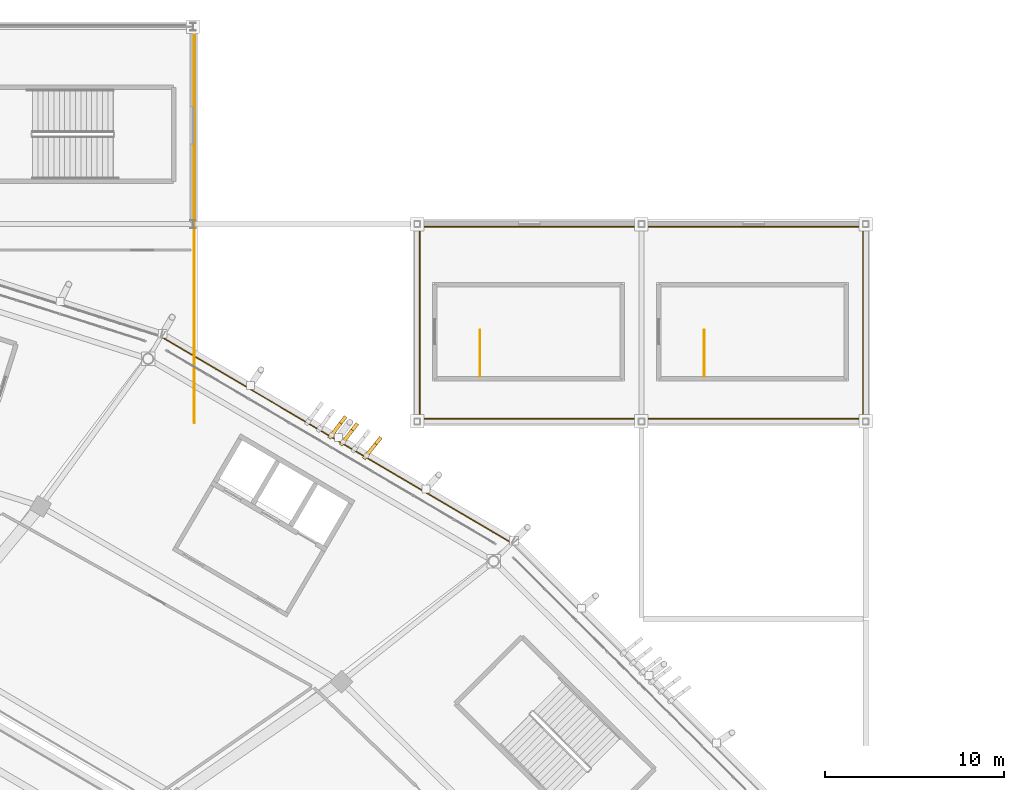
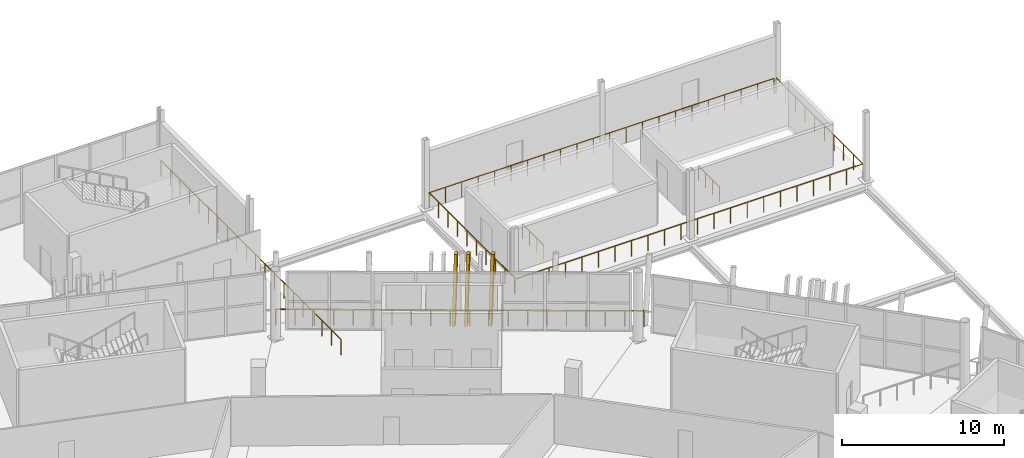
# One storey, part 178 of 178: 6 railings, 3 shading devices.
"""IFC4 building model written with IfcOpenShell, lengths in metres."""

import ifcopenshell
import ifcopenshell.guid

model = None  # the IFC model being written
_history = None  # IfcOwnerHistory: only IFC2X3 demands one
_inside = {}  # id of a spatial element -> (the spatial element, [elements in it])
_under = {}  # id of a project, library or spatial element -> (it, [spatial elements below it])
_declared = {}  # id of a project -> (the project, [libraries it declares])
_typed = {}  # id of a type object -> (the type object, [elements of that type])
_made_of = {}  # id of a material, layer set ... -> (it, [elements and type objects made of it])


def new_model(schema):
    """Start an empty IFC model of exactly this schema.

    Asked for "IFC4X3", IfcOpenShell would pick the latest addendum, in which some entities
    have other attributes; the version numbers below select the first issue.
    IFC2X3 requires an IfcOwnerHistory on every rooted entity: one is made here for all.
    """
    global model, _history
    if schema == "IFC4X3":
        model = ifcopenshell.file(schema_version=(4, 3, 0, 0))
    else:
        model = ifcopenshell.file(schema=schema)
    _inside.clear()
    _under.clear()
    _declared.clear()
    _typed.clear()
    _made_of.clear()
    _history = None
    if model.schema == "IFC2X3":
        org = make("IfcOrganization", Name="unknown")
        user = make(
            "IfcPersonAndOrganization",
            ThePerson=make("IfcPerson", FamilyName="unknown"),
            TheOrganization=org,
        )
        app = make(
            "IfcApplication",
            ApplicationDeveloper=org,
            Version="unknown",
            ApplicationFullName="unknown",
            ApplicationIdentifier="unknown",
        )
        _history = make(
            "IfcOwnerHistory",
            OwningUser=user,
            OwningApplication=app,
            ChangeAction="ADDED",
            CreationDate=0,
        )
    return model


def make(cls, **values):
    """One entity of the class cls with the attributes given. An attribute that is None is left unset."""
    return model.create_entity(
        cls, **{name: value for name, value in values.items() if value is not None}
    )


def rooted(cls, **values):
    """An entity with a GlobalId (a new one), such as an element, a storey or a relation."""
    return make(cls, GlobalId=ifcopenshell.guid.new(), OwnerHistory=_history, **values)


def si_unit(unit_type, name, prefix=None):
    """IfcSIUnit, for example si_unit("LENGTHUNIT", "METRE", prefix="MILLI")."""
    return make("IfcSIUnit", UnitType=unit_type, Prefix=prefix, Name=name)


def assignment(units):
    """IfcUnitAssignment: the units of a project."""
    return None if units is None else make("IfcUnitAssignment", Units=units)


def point(xyz):
    """IfcCartesianPoint."""
    return None if xyz is None else make("IfcCartesianPoint", Coordinates=xyz)


def direction(xyz):
    """IfcDirection."""
    return None if xyz is None else make("IfcDirection", DirectionRatios=xyz)


def frame(location, z_axis=None, x_axis=None):
    """IfcAxis2Placement3D, a coordinate frame: its origin and axes. An axis left out is left unset."""
    return make(
        "IfcAxis2Placement3D",
        Location=point(location),
        Axis=direction(z_axis),
        RefDirection=direction(x_axis),
    )


def frame_2d(location, x_axis=None):
    """IfcAxis2Placement2D, a coordinate frame in the plane: its origin and x axis."""
    return make(
        "IfcAxis2Placement2D", Location=point(location), RefDirection=direction(x_axis)
    )


def origin():
    """The frame at (0, 0, 0) with its axes left unset."""
    return frame((0.0, 0.0, 0.0))


def origin_2d():
    """The frame at (0, 0) in the plane with its x axis left unset."""
    return frame_2d((0.0, 0.0))


def place(relative_to, where):
    """IfcLocalPlacement: puts the frame where relative to a parent placement (None: the world)."""
    return make(
        "IfcLocalPlacement", PlacementRelTo=relative_to, RelativePlacement=where
    )


def context(
    kind, dimensions, precision=None, world=None, true_north=None, identifier=None
):
    """IfcGeometricRepresentationContext, for example the 3D "Model" context."""
    return make(
        "IfcGeometricRepresentationContext",
        ContextIdentifier=identifier,
        ContextType=kind,
        CoordinateSpaceDimension=dimensions,
        Precision=precision,
        WorldCoordinateSystem=world,
        TrueNorth=true_north,
    )


def subcontext(parent, identifier, kind, view, scale=None):
    """IfcGeometricRepresentationSubContext, for example "Body" below "Model"."""
    return make(
        "IfcGeometricRepresentationSubContext",
        ContextIdentifier=identifier,
        ContextType=kind,
        ParentContext=parent,
        TargetScale=scale,
        TargetView=view,
    )


def project(units=None, contexts=None):
    """IfcProject with its units and contexts."""
    return rooted(
        "IfcProject",
        Name="project",
        RepresentationContexts=contexts,
        UnitsInContext=assignment(units),
    )


def spatial(cls, under=None, at=None, **own):
    """A site, building, storey or space (cls), placed at a placement, below another one or the project."""
    s = rooted(cls, ObjectPlacement=at, **own)
    if under is not None:
        _under.setdefault(under.id(), (under, []))[1].append(s)
    return s


def profile(cls, at=None, kind="AREA", **sizes):
    """A parametric profile (cls). Its sizes go by their IFC names, for example OverallWidth=200.0."""
    return make(cls, ProfileType=kind, Position=at, **sizes)


def rectangle(**sizes):
    """IfcRectangleProfileDef."""
    return profile("IfcRectangleProfileDef", **sizes)


def extrude(swept, where, along, depth):
    """IfcExtrudedAreaSolid: the profile swept, set in the frame where, extruded along a direction by depth."""
    return make(
        "IfcExtrudedAreaSolid",
        SweptArea=swept,
        Position=where,
        ExtrudedDirection=direction(along),
        Depth=depth,
    )


def shape(context_of_items, identifier, shape_type, items):
    """IfcShapeRepresentation: the items that make up one representation, for example the "Body"."""
    return make(
        "IfcShapeRepresentation",
        ContextOfItems=context_of_items,
        RepresentationIdentifier=identifier,
        RepresentationType=shape_type,
        Items=items,
    )


def material(Name=None, Category=None):
    """IfcMaterial."""
    return make("IfcMaterial", Name=Name, Category=Category)


def material_profile(
    of_material, cross_section, Name=None, Category=None, Priority=None
):
    """IfcMaterialProfile: a cross section and its material."""
    return make(
        "IfcMaterialProfile",
        Name=Name,
        Material=of_material,
        Profile=cross_section,
        Priority=Priority,
        Category=Category,
    )


def profile_set(profiles, Name=None, composite=None):
    """IfcMaterialProfileSet."""
    return make(
        "IfcMaterialProfileSet",
        Name=Name,
        MaterialProfiles=profiles,
        CompositeProfile=composite,
    )


def made_of(thing, what):
    """Note that an element or type object is made of a material, layer set ...; save() writes the relation."""
    if what is not None:
        _made_of.setdefault(what.id(), (what, []))[1].append(thing)
    return thing


def type_object(cls, material=None, **own):
    """A type object (cls), such as IfcWallType, which elements share."""
    return made_of(rooted(cls, **own), material)


def element(
    cls,
    number,
    at=None,
    inside=None,
    cuts=None,
    type_object=None,
    material=None,
    context=None,
    identifier="Body",
    shape_type=None,
    held_by="IfcProductDefinitionShape",
    body=None,
    shapes=None,
    **own,
):
    """One element of the class cls, such as IfcWall. Its Tag is "e" and its number.

    at: its placement. inside: the storey or other place that contains it. cuts: it is an
    opening in that element (IfcRelVoidsElement). A single representation is given by context,
    identifier, shape_type and body (its items); several are given by shapes. held_by: the class
    of the entity that holds the representations. save() writes the other relations.
    """
    e = rooted(cls, Tag="e%d" % number, ObjectPlacement=at, **own)
    if body is not None:
        shapes = [shape(context, identifier, shape_type, body)]
    if shapes is not None:
        e.Representation = make(held_by, Representations=shapes)
    if inside is not None:
        _inside.setdefault(inside.id(), (inside, []))[1].append(e)
    if cuts is not None:
        rooted(
            "IfcRelVoidsElement", RelatingBuildingElement=cuts, RelatedOpeningElement=e
        )
    if type_object is not None:
        _typed.setdefault(type_object.id(), (type_object, []))[1].append(e)
    return made_of(e, material)


def aggregate(whole, parts):
    """IfcRelAggregates: a whole, such as a stair, and the parts it consists of."""
    return rooted("IfcRelAggregates", RelatingObject=whole, RelatedObjects=parts)


def save(model, path):
    """Write the relations noted so far, then the file.

    IfcRelAggregates (storeys below a building ...), IfcRelContainedInSpatialStructure (elements
    in a storey), IfcRelDefinesByType, IfcRelAssociatesMaterial and IfcRelDeclares: one each for
    every whole, place, type object, material and project.
    """
    for whole, parts in _under.values():
        aggregate(whole, parts)
    for where, things in _inside.values():
        rooted(
            "IfcRelContainedInSpatialStructure",
            RelatedElements=things,
            RelatingStructure=where,
        )
    for kind, things in _typed.values():
        rooted("IfcRelDefinesByType", RelatedObjects=things, RelatingType=kind)
    for what, things in _made_of.values():
        rooted("IfcRelAssociatesMaterial", RelatedObjects=things, RelatingMaterial=what)
    for by, libraries in _declared.values():
        rooted("IfcRelDeclares", RelatingContext=by, RelatedDefinitions=libraries)
    model.write(path)


model = new_model("IFC4")

# Units and contexts
model_context = context("Model", 3, precision=1e-05, world=origin(), true_north=direction((0.0, 1.0)))
body_context = subcontext(model_context, "Body", "Model", "MODEL_VIEW")
ifc_project = project(units=[si_unit("LENGTHUNIT", "METRE"), si_unit("AREAUNIT", "SQUARE_METRE"), si_unit("VOLUMEUNIT", "CUBIC_METRE"), si_unit("PLANEANGLEUNIT", "RADIAN"), si_unit("MASSUNIT", "GRAM", prefix="KILO")], contexts=[model_context])

# Site, building, storey
site_placement = place(None, origin())
site = spatial("IfcSite", under=ifc_project, at=site_placement, CompositionType="ELEMENT")
building_placement = place(site_placement, origin())
building = spatial("IfcBuilding", under=site, at=building_placement, Name="Zlatoyarsky Gate Stadium", CompositionType="ELEMENT")
storey_placement = place(building_placement, frame((0.0, 0.0, 5.39990234375)))
storey = spatial("IfcBuildingStorey", under=building, at=storey_placement, Name="L01", CompositionType="ELEMENT", Elevation=5.39990234375)

# Railings
ifc_material_1 = material(Name="Powder-coated steel tubular guardrail", Category="steel")
railing_type_1 = type_object("IfcRailingType", Name="CONCOURSE SLAB EDGE GUARDRAIL 1200", PredefinedType="GUARDRAIL", material=ifc_material_1)
railing_1_placement = place(storey_placement, frame((177.77099609375, 131.214599609375, 0.0)))
element("IfcRailing", 1, at=railing_1_placement, inside=storey, type_object=railing_type_1, Name="L01 outer slab edge guardrail 03", PredefinedType="GUARDRAIL", context=body_context, shape_type="SweptSolid", body=[
    extrude(rectangle(XDim=0.048095703125, YDim=0.048095703125, at=origin_2d()), frame((0.0, 0.0, 1.17578125), z_axis=(-0.861814713094, 0.507223225311, 0.0), x_axis=(-0.507223225311, -0.861814713094, 0.0)), (0.0, 0.0, 1.0), 22.692626953125),
    extrude(rectangle(XDim=0.0419921875, YDim=0.0419921875, at=origin_2d()), origin(), (0.0, 0.0, 1.0), 1.15185546875),
    extrude(rectangle(XDim=0.0419921875, YDim=0.0419921875, at=origin_2d()), frame((-1.029296875, 0.605712890625, 0.0)), (0.0, 0.0, 1.0), 1.15185546875),
    extrude(rectangle(XDim=0.0419921875, YDim=0.0419921875, at=origin_2d()), frame((-2.05859375, 1.211669921875, 0.0)), (0.0, 0.0, 1.0), 1.15185546875),
    extrude(rectangle(XDim=0.0419921875, YDim=0.0419921875, at=origin_2d()), frame((-3.087890625, 1.8173828125, 0.0)), (0.0, 0.0, 1.0), 1.15185546875),
    extrude(rectangle(XDim=0.0419921875, YDim=0.0419921875, at=origin_2d()), frame((-4.1171875, 2.423095703125, 0.0)), (0.0, 0.0, 1.0), 1.15185546875),
    extrude(rectangle(XDim=0.0419921875, YDim=0.0419921875, at=origin_2d()), frame((-5.146484375, 3.029052734375, 0.0)), (0.0, 0.0, 1.0), 1.15185546875),
    extrude(rectangle(XDim=0.0419921875, YDim=0.0419921875, at=origin_2d()), frame((-6.17578125, 3.634765625, 0.0)), (0.0, 0.0, 1.0), 1.15185546875),
    extrude(rectangle(XDim=0.0419921875, YDim=0.0419921875, at=origin_2d()), frame((-7.205078125, 4.24072265625, 0.0)), (0.0, 0.0, 1.0), 1.15185546875),
    extrude(rectangle(XDim=0.0419921875, YDim=0.0419921875, at=origin_2d()), frame((-8.234375, 4.846435546875, 0.0)), (0.0, 0.0, 1.0), 1.15185546875),
    extrude(rectangle(XDim=0.0419921875, YDim=0.0419921875, at=origin_2d()), frame((-9.263671875, 5.4521484375, 0.0)), (0.0, 0.0, 1.0), 1.15185546875),
    extrude(rectangle(XDim=0.0419921875, YDim=0.0419921875, at=origin_2d()), frame((-10.293212890625, 6.05810546875, 0.0)), (0.0, 0.0, 1.0), 1.15185546875),
    extrude(rectangle(XDim=0.0419921875, YDim=0.0419921875, at=origin_2d()), frame((-11.322509765625, 6.663818359375, 0.0)), (0.0, 0.0, 1.0), 1.15185546875),
    extrude(rectangle(XDim=0.0419921875, YDim=0.0419921875, at=origin_2d()), frame((-12.351806640625, 7.26953125, 0.0)), (0.0, 0.0, 1.0), 1.15185546875),
    extrude(rectangle(XDim=0.0419921875, YDim=0.0419921875, at=origin_2d()), frame((-13.381103515625, 7.87548828125, 0.0)), (0.0, 0.0, 1.0), 1.15185546875),
    extrude(rectangle(XDim=0.0419921875, YDim=0.0419921875, at=origin_2d()), frame((-14.410400390625, 8.481201171875, 0.0)), (0.0, 0.0, 1.0), 1.15185546875),
    extrude(rectangle(XDim=0.0419921875, YDim=0.0419921875, at=origin_2d()), frame((-15.439697265625, 9.087158203125, 0.0)), (0.0, 0.0, 1.0), 1.15185546875),
    extrude(rectangle(XDim=0.0419921875, YDim=0.0419921875, at=origin_2d()), frame((-16.468994140625, 9.69287109375, 0.0)), (0.0, 0.0, 1.0), 1.15185546875),
    extrude(rectangle(XDim=0.0419921875, YDim=0.0419921875, at=origin_2d()), frame((-17.498291015625, 10.298583984375, 0.0)), (0.0, 0.0, 1.0), 1.15185546875),
    extrude(rectangle(XDim=0.0419921875, YDim=0.0419921875, at=origin_2d()), frame((-18.527587890625, 10.904541015625, 0.0)), (0.0, 0.0, 1.0), 1.15185546875),
    extrude(rectangle(XDim=0.0419921875, YDim=0.0419921875, at=origin_2d()), frame((-19.556884765625, 11.51025390625, 0.0)), (0.0, 0.0, 1.0), 1.15185546875),
])
railing_2_placement = place(storey_placement, frame((172.64990234375, 138.14990234375, 0.0)))
element("IfcRailing", 2, at=railing_2_placement, inside=storey, type_object=railing_type_1, Name="V6_NE L01 portico perimeter guardrail A", PredefinedType="GUARDRAIL", context=body_context, shape_type="SweptSolid", body=[
    extrude(rectangle(XDim=0.048095703125, YDim=0.048095703125, at=origin_2d()), frame((0.0, 0.0, 1.17578125), z_axis=(1.0, 0.0, 0.0), x_axis=(0.0, 1.0, 0.0)), (0.0, 0.0, 1.0), 24.7001953125),
    extrude(rectangle(XDim=0.048095703125, YDim=0.048095703125, at=origin_2d()), frame((24.7001953125, 0.0, 1.17578125), z_axis=(0.0, 1.0, 0.0), x_axis=(-1.0, 0.0, 0.0)), (0.0, 0.0, 1.0), 10.7001953125),
    extrude(rectangle(XDim=0.0419921875, YDim=0.0419921875, at=origin_2d()), origin(), (0.0, 0.0, 1.0), 1.15185546875),
    extrude(rectangle(XDim=0.0419921875, YDim=0.0419921875, at=origin_2d()), frame((1.17626953125, 0.0, 0.0)), (0.0, 0.0, 1.0), 1.15185546875),
    extrude(rectangle(XDim=0.0419921875, YDim=0.0419921875, at=origin_2d()), frame((2.352294921875, 0.0, 0.0)), (0.0, 0.0, 1.0), 1.15185546875),
    extrude(rectangle(XDim=0.0419921875, YDim=0.0419921875, at=origin_2d()), frame((3.528564453125, 0.0, 0.0)), (0.0, 0.0, 1.0), 1.15185546875),
    extrude(rectangle(XDim=0.0419921875, YDim=0.0419921875, at=origin_2d()), frame((4.704833984375, 0.0, 0.0)), (0.0, 0.0, 1.0), 1.15185546875),
    extrude(rectangle(XDim=0.0419921875, YDim=0.0419921875, at=origin_2d()), frame((5.881103515625, 0.0, 0.0)), (0.0, 0.0, 1.0), 1.15185546875),
    extrude(rectangle(XDim=0.0419921875, YDim=0.0419921875, at=origin_2d()), frame((7.05712890625, 0.0, 0.0)), (0.0, 0.0, 1.0), 1.15185546875),
    extrude(rectangle(XDim=0.0419921875, YDim=0.0419921875, at=origin_2d()), frame((8.2333984375, 0.0, 0.0)), (0.0, 0.0, 1.0), 1.15185546875),
    extrude(rectangle(XDim=0.0419921875, YDim=0.0419921875, at=origin_2d()), frame((9.40966796875, 0.0, 0.0)), (0.0, 0.0, 1.0), 1.15185546875),
    extrude(rectangle(XDim=0.0419921875, YDim=0.0419921875, at=origin_2d()), frame((10.585693359375, 0.0, 0.0)), (0.0, 0.0, 1.0), 1.15185546875),
    extrude(rectangle(XDim=0.0419921875, YDim=0.0419921875, at=origin_2d()), frame((11.761962890625, 0.0, 0.0)), (0.0, 0.0, 1.0), 1.15185546875),
    extrude(rectangle(XDim=0.0419921875, YDim=0.0419921875, at=origin_2d()), frame((12.938232421875, 0.0, 0.0)), (0.0, 0.0, 1.0), 1.15185546875),
    extrude(rectangle(XDim=0.0419921875, YDim=0.0419921875, at=origin_2d()), frame((14.114501953125, 0.0, 0.0)), (0.0, 0.0, 1.0), 1.15185546875),
    extrude(rectangle(XDim=0.0419921875, YDim=0.0419921875, at=origin_2d()), frame((15.29052734375, 0.0, 0.0)), (0.0, 0.0, 1.0), 1.15185546875),
    extrude(rectangle(XDim=0.0419921875, YDim=0.0419921875, at=origin_2d()), frame((16.466796875, 0.0, 0.0)), (0.0, 0.0, 1.0), 1.15185546875),
    extrude(rectangle(XDim=0.0419921875, YDim=0.0419921875, at=origin_2d()), frame((17.64306640625, 0.0, 0.0)), (0.0, 0.0, 1.0), 1.15185546875),
    extrude(rectangle(XDim=0.0419921875, YDim=0.0419921875, at=origin_2d()), frame((18.819091796875, 0.0, 0.0)), (0.0, 0.0, 1.0), 1.15185546875),
    extrude(rectangle(XDim=0.0419921875, YDim=0.0419921875, at=origin_2d()), frame((19.995361328125, 0.0, 0.0)), (0.0, 0.0, 1.0), 1.15185546875),
    extrude(rectangle(XDim=0.0419921875, YDim=0.0419921875, at=origin_2d()), frame((21.171630859375, 0.0, 0.0)), (0.0, 0.0, 1.0), 1.15185546875),
    extrude(rectangle(XDim=0.0419921875, YDim=0.0419921875, at=origin_2d()), frame((22.347900390625, 0.0, 0.0)), (0.0, 0.0, 1.0), 1.15185546875),
    extrude(rectangle(XDim=0.0419921875, YDim=0.0419921875, at=origin_2d()), frame((23.52392578125, 0.0, 0.0)), (0.0, 0.0, 1.0), 1.15185546875),
    extrude(rectangle(XDim=0.0419921875, YDim=0.0419921875, at=origin_2d()), frame((24.7001953125, 0.0, 0.0)), (0.0, 0.0, 1.0), 1.15185546875),
    extrude(rectangle(XDim=0.0419921875, YDim=0.0419921875, at=origin_2d()), frame((24.7001953125, 1.18896484375, 0.0)), (0.0, 0.0, 1.0), 1.15185546875),
    extrude(rectangle(XDim=0.0419921875, YDim=0.0419921875, at=origin_2d()), frame((24.7001953125, 2.3779296875, 0.0)), (0.0, 0.0, 1.0), 1.15185546875),
    extrude(rectangle(XDim=0.0419921875, YDim=0.0419921875, at=origin_2d()), frame((24.7001953125, 3.566650390625, 0.0)), (0.0, 0.0, 1.0), 1.15185546875),
    extrude(rectangle(XDim=0.0419921875, YDim=0.0419921875, at=origin_2d()), frame((24.7001953125, 4.755615234375, 0.0)), (0.0, 0.0, 1.0), 1.15185546875),
    extrude(rectangle(XDim=0.0419921875, YDim=0.0419921875, at=origin_2d()), frame((24.7001953125, 5.944580078125, 0.0)), (0.0, 0.0, 1.0), 1.15185546875),
    extrude(rectangle(XDim=0.0419921875, YDim=0.0419921875, at=origin_2d()), frame((24.7001953125, 7.133544921875, 0.0)), (0.0, 0.0, 1.0), 1.15185546875),
    extrude(rectangle(XDim=0.0419921875, YDim=0.0419921875, at=origin_2d()), frame((24.7001953125, 8.322265625, 0.0)), (0.0, 0.0, 1.0), 1.15185546875),
    extrude(rectangle(XDim=0.0419921875, YDim=0.0419921875, at=origin_2d()), frame((24.7001953125, 9.51123046875, 0.0)), (0.0, 0.0, 1.0), 1.15185546875),
    extrude(rectangle(XDim=0.0419921875, YDim=0.0419921875, at=origin_2d()), frame((24.7001953125, 10.7001953125, 0.0)), (0.0, 0.0, 1.0), 1.15185546875),
])
railing_3_placement = place(storey_placement, frame((197.199951171875, 148.85009765625, 0.0)))
element("IfcRailing", 3, at=railing_3_placement, inside=storey, type_object=railing_type_1, Name="V6_NE L01 portico perimeter guardrail B", PredefinedType="GUARDRAIL", context=body_context, shape_type="SweptSolid", body=[
    extrude(rectangle(XDim=0.048095703125, YDim=0.048095703125, at=origin_2d()), frame((0.0, 0.0, 1.17578125), z_axis=(-1.0, 0.0, 0.0), x_axis=(0.0, -1.0, 0.0)), (0.0, 0.0, 1.0), 24.550048828125),
    extrude(rectangle(XDim=0.048095703125, YDim=0.048095703125, at=origin_2d()), frame((-24.550048828125, 0.0, 1.17578125), z_axis=(0.0, -1.0, 0.0), x_axis=(1.0, 0.0, 0.0)), (0.0, 0.0, 1.0), 10.550048828125),
    extrude(rectangle(XDim=0.0419921875, YDim=0.0419921875, at=origin_2d()), origin(), (0.0, 0.0, 1.0), 1.15185546875),
    extrude(rectangle(XDim=0.0419921875, YDim=0.0419921875, at=origin_2d()), frame((-1.1689453125, 0.0, 0.0)), (0.0, 0.0, 1.0), 1.15185546875),
    extrude(rectangle(XDim=0.0419921875, YDim=0.0419921875, at=origin_2d()), frame((-2.338134765625, 0.0, 0.0)), (0.0, 0.0, 1.0), 1.15185546875),
    extrude(rectangle(XDim=0.0419921875, YDim=0.0419921875, at=origin_2d()), frame((-3.507080078125, 0.0, 0.0)), (0.0, 0.0, 1.0), 1.15185546875),
    extrude(rectangle(XDim=0.0419921875, YDim=0.0419921875, at=origin_2d()), frame((-4.67626953125, 0.0, 0.0)), (0.0, 0.0, 1.0), 1.15185546875),
    extrude(rectangle(XDim=0.0419921875, YDim=0.0419921875, at=origin_2d()), frame((-5.84521484375, 0.0, 0.0)), (0.0, 0.0, 1.0), 1.15185546875),
    extrude(rectangle(XDim=0.0419921875, YDim=0.0419921875, at=origin_2d()), frame((-7.014404296875, 0.0, 0.0)), (0.0, 0.0, 1.0), 1.15185546875),
    extrude(rectangle(XDim=0.0419921875, YDim=0.0419921875, at=origin_2d()), frame((-8.183349609375, 0.0, 0.0)), (0.0, 0.0, 1.0), 1.15185546875),
    extrude(rectangle(XDim=0.0419921875, YDim=0.0419921875, at=origin_2d()), frame((-9.352294921875, 0.0, 0.0)), (0.0, 0.0, 1.0), 1.15185546875),
    extrude(rectangle(XDim=0.0419921875, YDim=0.0419921875, at=origin_2d()), frame((-10.521484375, 0.0, 0.0)), (0.0, 0.0, 1.0), 1.15185546875),
    extrude(rectangle(XDim=0.0419921875, YDim=0.0419921875, at=origin_2d()), frame((-11.6904296875, 0.0, 0.0)), (0.0, 0.0, 1.0), 1.15185546875),
    extrude(rectangle(XDim=0.0419921875, YDim=0.0419921875, at=origin_2d()), frame((-12.859619140625, 0.0, 0.0)), (0.0, 0.0, 1.0), 1.15185546875),
    extrude(rectangle(XDim=0.0419921875, YDim=0.0419921875, at=origin_2d()), frame((-14.028564453125, 0.0, 0.0)), (0.0, 0.0, 1.0), 1.15185546875),
    extrude(rectangle(XDim=0.0419921875, YDim=0.0419921875, at=origin_2d()), frame((-15.19775390625, 0.0, 0.0)), (0.0, 0.0, 1.0), 1.15185546875),
    extrude(rectangle(XDim=0.0419921875, YDim=0.0419921875, at=origin_2d()), frame((-16.36669921875, 0.0, 0.0)), (0.0, 0.0, 1.0), 1.15185546875),
    extrude(rectangle(XDim=0.0419921875, YDim=0.0419921875, at=origin_2d()), frame((-17.53564453125, 0.0, 0.0)), (0.0, 0.0, 1.0), 1.15185546875),
    extrude(rectangle(XDim=0.0419921875, YDim=0.0419921875, at=origin_2d()), frame((-18.704833984375, 0.0, 0.0)), (0.0, 0.0, 1.0), 1.15185546875),
    extrude(rectangle(XDim=0.0419921875, YDim=0.0419921875, at=origin_2d()), frame((-19.873779296875, 0.0, 0.0)), (0.0, 0.0, 1.0), 1.15185546875),
    extrude(rectangle(XDim=0.0419921875, YDim=0.0419921875, at=origin_2d()), frame((-21.04296875, 0.0, 0.0)), (0.0, 0.0, 1.0), 1.15185546875),
    extrude(rectangle(XDim=0.0419921875, YDim=0.0419921875, at=origin_2d()), frame((-22.2119140625, 0.0, 0.0)), (0.0, 0.0, 1.0), 1.15185546875),
    extrude(rectangle(XDim=0.0419921875, YDim=0.0419921875, at=origin_2d()), frame((-23.381103515625, 0.0, 0.0)), (0.0, 0.0, 1.0), 1.15185546875),
    extrude(rectangle(XDim=0.0419921875, YDim=0.0419921875, at=origin_2d()), frame((-24.550048828125, 0.0, 0.0)), (0.0, 0.0, 1.0), 1.15185546875),
    extrude(rectangle(XDim=0.0419921875, YDim=0.0419921875, at=origin_2d()), frame((-24.550048828125, -1.172119140625, 0.0)), (0.0, 0.0, 1.0), 1.15185546875),
    extrude(rectangle(XDim=0.0419921875, YDim=0.0419921875, at=origin_2d()), frame((-24.550048828125, -2.344482421875, 0.0)), (0.0, 0.0, 1.0), 1.15185546875),
    extrude(rectangle(XDim=0.0419921875, YDim=0.0419921875, at=origin_2d()), frame((-24.550048828125, -3.5166015625, 0.0)), (0.0, 0.0, 1.0), 1.15185546875),
    extrude(rectangle(XDim=0.0419921875, YDim=0.0419921875, at=origin_2d()), frame((-24.550048828125, -4.68896484375, 0.0)), (0.0, 0.0, 1.0), 1.15185546875),
    extrude(rectangle(XDim=0.0419921875, YDim=0.0419921875, at=origin_2d()), frame((-24.550048828125, -5.861083984375, 0.0)), (0.0, 0.0, 1.0), 1.15185546875),
    extrude(rectangle(XDim=0.0419921875, YDim=0.0419921875, at=origin_2d()), frame((-24.550048828125, -7.033447265625, 0.0)), (0.0, 0.0, 1.0), 1.15185546875),
    extrude(rectangle(XDim=0.0419921875, YDim=0.0419921875, at=origin_2d()), frame((-24.550048828125, -8.20556640625, 0.0)), (0.0, 0.0, 1.0), 1.15185546875),
    extrude(rectangle(XDim=0.0419921875, YDim=0.0419921875, at=origin_2d()), frame((-24.550048828125, -9.3779296875, 0.0)), (0.0, 0.0, 1.0), 1.15185546875),
    extrude(rectangle(XDim=0.0419921875, YDim=0.0419921875, at=origin_2d()), frame((-24.550048828125, -10.550048828125, 0.0)), (0.0, 0.0, 1.0), 1.15185546875),
])
railing_4_placement = place(storey_placement, frame((160.080078125, 160.080078125, 0.0)))
element("IfcRailing", 4, at=railing_4_placement, inside=storey, type_object=railing_type_1, Name="V2_NORTH L01 E slab edge guardrail", PredefinedType="GUARDRAIL", context=body_context, shape_type="SweptSolid", body=[
    extrude(rectangle(XDim=0.048095703125, YDim=0.048095703125, at=origin_2d()), frame((0.0, 0.0, 1.17578125), z_axis=(0.0, -1.0, 0.0), x_axis=(1.0, 0.0, 0.0)), (0.0, 0.0, 1.0), 22.16015625),
    extrude(rectangle(XDim=0.0419921875, YDim=0.0419921875, at=origin_2d()), origin(), (0.0, 0.0, 1.0), 1.15185546875),
    extrude(rectangle(XDim=0.0419921875, YDim=0.0419921875, at=origin_2d()), frame((0.0, -1.166259765625, 0.0)), (0.0, 0.0, 1.0), 1.15185546875),
    extrude(rectangle(XDim=0.0419921875, YDim=0.0419921875, at=origin_2d()), frame((0.0, -2.332763671875, 0.0)), (0.0, 0.0, 1.0), 1.15185546875),
    extrude(rectangle(XDim=0.0419921875, YDim=0.0419921875, at=origin_2d()), frame((0.0, -3.4990234375, 0.0)), (0.0, 0.0, 1.0), 1.15185546875),
    extrude(rectangle(XDim=0.0419921875, YDim=0.0419921875, at=origin_2d()), frame((0.0, -4.665283203125, 0.0)), (0.0, 0.0, 1.0), 1.15185546875),
    extrude(rectangle(XDim=0.0419921875, YDim=0.0419921875, at=origin_2d()), frame((0.0, -5.83154296875, 0.0)), (0.0, 0.0, 1.0), 1.15185546875),
    extrude(rectangle(XDim=0.0419921875, YDim=0.0419921875, at=origin_2d()), frame((0.0, -6.998046875, 0.0)), (0.0, 0.0, 1.0), 1.15185546875),
    extrude(rectangle(XDim=0.0419921875, YDim=0.0419921875, at=origin_2d()), frame((0.0, -8.164306640625, 0.0)), (0.0, 0.0, 1.0), 1.15185546875),
    extrude(rectangle(XDim=0.0419921875, YDim=0.0419921875, at=origin_2d()), frame((0.0, -9.33056640625, 0.0)), (0.0, 0.0, 1.0), 1.15185546875),
    extrude(rectangle(XDim=0.0419921875, YDim=0.0419921875, at=origin_2d()), frame((0.0, -10.496826171875, 0.0)), (0.0, 0.0, 1.0), 1.15185546875),
    extrude(rectangle(XDim=0.0419921875, YDim=0.0419921875, at=origin_2d()), frame((0.0, -11.663330078125, 0.0)), (0.0, 0.0, 1.0), 1.15185546875),
    extrude(rectangle(XDim=0.0419921875, YDim=0.0419921875, at=origin_2d()), frame((0.0, -12.82958984375, 0.0)), (0.0, 0.0, 1.0), 1.15185546875),
    extrude(rectangle(XDim=0.0419921875, YDim=0.0419921875, at=origin_2d()), frame((0.0, -13.995849609375, 0.0)), (0.0, 0.0, 1.0), 1.15185546875),
    extrude(rectangle(XDim=0.0419921875, YDim=0.0419921875, at=origin_2d()), frame((0.0, -15.162109375, 0.0)), (0.0, 0.0, 1.0), 1.15185546875),
    extrude(rectangle(XDim=0.0419921875, YDim=0.0419921875, at=origin_2d()), frame((0.0, -16.32861328125, 0.0)), (0.0, 0.0, 1.0), 1.15185546875),
    extrude(rectangle(XDim=0.0419921875, YDim=0.0419921875, at=origin_2d()), frame((0.0, -17.494873046875, 0.0)), (0.0, 0.0, 1.0), 1.15185546875),
    extrude(rectangle(XDim=0.0419921875, YDim=0.0419921875, at=origin_2d()), frame((0.0, -18.6611328125, 0.0)), (0.0, 0.0, 1.0), 1.15185546875),
    extrude(rectangle(XDim=0.0419921875, YDim=0.0419921875, at=origin_2d()), frame((0.0, -19.827392578125, 0.0)), (0.0, 0.0, 1.0), 1.15185546875),
    extrude(rectangle(XDim=0.0419921875, YDim=0.0419921875, at=origin_2d()), frame((0.0, -20.993896484375, 0.0)), (0.0, 0.0, 1.0), 1.15185546875),
    extrude(rectangle(XDim=0.0419921875, YDim=0.0419921875, at=origin_2d()), frame((0.0, -22.16015625, 0.0)), (0.0, 0.0, 1.0), 1.15185546875),
])
ifc_material_2 = material(Name="Powder-coated steel stair guardrail", Category="steel")
railing_type_2 = type_object("IfcRailingType", Name="PAINTED STEEL STAIR WELL GUARDRAIL 1150", PredefinedType="GUARDRAIL", material=ifc_material_2)
for number, where, name in (
    (5, (176.0, 140.5, 0.0), "ST-27 L01 top well guard 1"),
    (6, (188.5, 140.5, 0.0), "ST-28 L01 top well guard 1"),
):
    element("IfcRailing", number, at=place(storey_placement, frame(where)), inside=storey, type_object=railing_type_2, Name=name, PredefinedType="GUARDRAIL", context=body_context, shape_type="SweptSolid", body=[
        extrude(rectangle(XDim=0.048095703125, YDim=0.048095703125, at=origin_2d()), frame((0.0, 0.0, 1.1259765625), z_axis=(0.0, 1.0, 0.0), x_axis=(-1.0, 0.0, 0.0)), (0.0, 0.0, 1.0), 2.60009765625),
        extrude(rectangle(XDim=0.0419921875, YDim=0.0419921875, at=origin_2d()), origin(), (0.0, 0.0, 1.0), 1.101806640625),
        extrude(rectangle(XDim=0.0419921875, YDim=0.0419921875, at=origin_2d()), frame((0.0, 0.86669921875, 0.0)), (0.0, 0.0, 1.0), 1.101806640625),
        extrude(rectangle(XDim=0.0419921875, YDim=0.0419921875, at=origin_2d()), frame((0.0, 1.7333984375, 0.0)), (0.0, 0.0, 1.0), 1.101806640625),
        extrude(rectangle(XDim=0.0419921875, YDim=0.0419921875, at=origin_2d()), frame((0.0, 2.60009765625, 0.0)), (0.0, 0.0, 1.0), 1.101806640625),
    ])

# Shading devices
ifc_material_3 = material(Name="Precast concrete C40/50 stone-toned architectural rib", Category="masonry")
ifc_material_profile = material_profile(ifc_material_3, rectangle(XDim=0.199951171875, YDim=0.47998046875, at=origin_2d()), Name="RIB 200X480")
ifc_profile_set = profile_set([ifc_material_profile], Name="Precast concrete C40/50 stone-toned architectural rib")
shading_device_type = type_object("IfcShadingDeviceType", Name="PRECAST FLUTED GATE LOUVRE BLADE 200X480", PredefinedType="SHUTTER", material=ifc_profile_set)
for number, where, z_axis, x_axis, name in (
    (7, (169.668701171875, 136.09716796875, -0.010009765625), (0.138086632207, 0.172074056789, 0.975357678488), (-0.779922977613, 0.625875505985, 0.0), "Leaning bowl louvre fin L01-03-1"),
    (8, (168.376220703125, 136.858154296875, -0.010009765625), (0.135035411123, 0.17441649937, 0.975368813573), (-0.790716503996, 0.612182497551, 0.0), "Leaning bowl louvre fin L01-03-3"),
    (9, (167.729736328125, 137.23876953125, -0.010009765625), (0.133510226202, 0.17553745442, 0.975377681514), (-0.795939856582, 0.605375705412, 0.0), "Leaning bowl louvre fin L01-03-4"),
):
    element("IfcShadingDevice", number, at=place(storey_placement, frame(where, z_axis=z_axis, x_axis=x_axis)), inside=storey, type_object=shading_device_type, Name=name, PredefinedType="SHUTTER", context=body_context, shape_type="SweptSolid", body=[
        extrude(rectangle(XDim=0.199951171875, YDim=0.47998046875, at=origin_2d()), origin(), (0.0, 0.0, 1.0), 4.79833984375),
    ])

save(model, "model.ifc")
